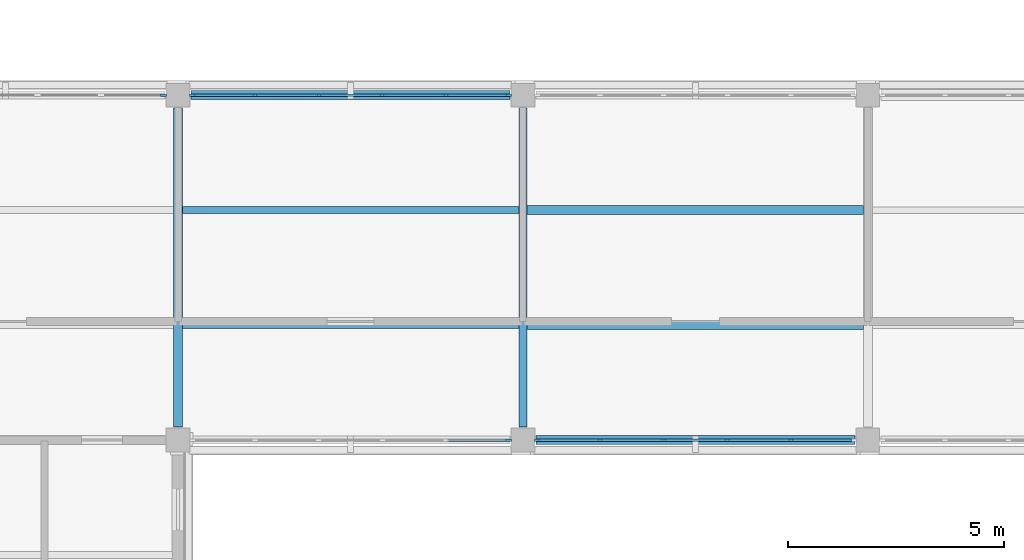
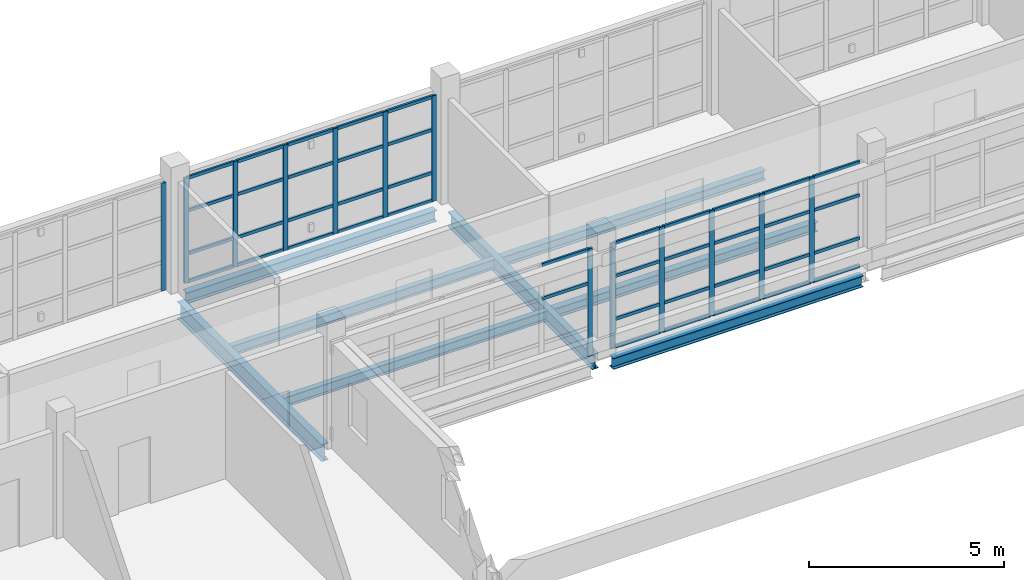
# One storey, part 11 of 107: 55 members, 8 beams, 4 elements without a shape of their own.
"""IFC4 building model written with IfcOpenShell, lengths in metres."""

from ifc_helpers import new_model, si_unit, derived_unit, direction, frame, origin, origin_2d, place, context, subcontext, project, spatial, rectangle, i_section, extrude, material, layer, layer_set, material_profile, profile_set, type_object, element, aggregate, save


model = new_model("IFC4")

# Units and contexts
model_context = context("Model", 3, precision=1e-05, world=origin(), true_north=direction((0.0, 1.0)))
body_context = subcontext(model_context, "Body", "Model", "MODEL_VIEW")
ifc_project = project(units=[si_unit("LENGTHUNIT", "METRE"), si_unit("AREAUNIT", "SQUARE_METRE"), si_unit("VOLUMEUNIT", "CUBIC_METRE"), si_unit("PLANEANGLEUNIT", "RADIAN"), si_unit("MASSUNIT", "GRAM", prefix="KILO"), derived_unit("THERMALTRANSMITTANCEUNIT", [(si_unit("MASSUNIT", "GRAM", prefix="KILO"), 1), (si_unit("TIMEUNIT", "SECOND"), -3), (si_unit("THERMODYNAMICTEMPERATUREUNIT", "KELVIN"), -1)])], contexts=[model_context])

# Site, building, storey
site_placement = place(None, origin())
site = spatial("IfcSite", under=ifc_project, at=site_placement, CompositionType="ELEMENT")
building_placement = place(site_placement, origin())
building = spatial("IfcBuilding", under=site, at=building_placement, Name="Veyamyaing Civic Hall", CompositionType="ELEMENT")
storey_placement = place(building_placement, frame((0.0, 0.0, 13.860107421875)))
storey = spatial("IfcBuildingStorey", under=building, at=storey_placement, Name="L03", CompositionType="ELEMENT", Elevation=13.860107421875)

# Beams
ifc_material_1 = material(Name="Steel ASTM A992", Category="steel")
ifc_material_profile_1 = material_profile(ifc_material_1, i_section(OverallWidth=0.208984375, OverallDepth=0.532958984375, WebThickness=0.01025390625, FlangeThickness=0.015625, FilletRadius=0.011962890625, at=origin_2d()), Name="W530X92")
ifc_profile_set_1 = profile_set([ifc_material_profile_1], Name="Steel ASTM A992")
beam_type_1 = type_object("IfcBeamType", Name="B-07", PredefinedType="BEAM", material=ifc_profile_set_1)
beam_1_placement = place(storey_placement, frame((16.0, 48.300048828125, -0.521728515625), z_axis=(0.0, 1.0, 0.0), x_axis=(-1.0, 0.0, 0.0)))
element("IfcBeam", 1, at=beam_1_placement, inside=storey, type_object=beam_type_1, Name="Girder B-07 L03 Grid 3 G-H", PredefinedType="BEAM", context=body_context, shape_type="SweptSolid", body=[
    extrude(i_section(OverallWidth=0.208984375, OverallDepth=0.532958984375, WebThickness=0.01025390625, FlangeThickness=0.015625, FilletRadius=0.011962890625, at=origin_2d()), origin(), (0.0, 0.0, 1.0), 7.39990234375),
])
ifc_material_profile_2 = material_profile(ifc_material_1, i_section(OverallWidth=0.19189453125, OverallDepth=0.462890625, WebThickness=0.010498046875, FlangeThickness=0.017578125, FilletRadius=0.010009765625, at=origin_2d()), Name="W460X89")
ifc_profile_set_2 = profile_set([ifc_material_profile_2], Name="Steel ASTM A992")
beam_type_2 = type_object("IfcBeamType", Name="B-08", PredefinedType="BEAM", material=ifc_profile_set_2)
beam_2_placement = place(storey_placement, frame((24.0, 48.300048828125, -0.486572265625), z_axis=(0.0, 1.0, 0.0), x_axis=(-1.0, 0.0, 0.0)))
element("IfcBeam", 2, at=beam_2_placement, inside=storey, type_object=beam_type_2, Name="Girder B-08 L03 Grid 4 G-H", PredefinedType="BEAM", context=body_context, shape_type="SweptSolid", body=[
    extrude(i_section(OverallWidth=0.19189453125, OverallDepth=0.462890625, WebThickness=0.010498046875, FlangeThickness=0.017578125, FilletRadius=0.010009765625, at=origin_2d()), origin(), (0.0, 0.0, 1.0), 7.39990234375),
])
ifc_material_profile_3 = material_profile(ifc_material_1, i_section(OverallWidth=0.2041015625, OverallDepth=0.35009765625, WebThickness=0.0078125, FlangeThickness=0.01513671875, FilletRadius=0.010009765625, at=origin_2d()), Name="W360X72")
ifc_profile_set_3 = profile_set([ifc_material_profile_3], Name="Steel ASTM A992")
beam_type_3 = type_object("IfcBeamType", Name="B-11", PredefinedType="SPANDREL", material=ifc_profile_set_3)
for number, where, z_axis, x_axis, name in (
    (3, (24.300048828125, 48.0, -0.43017578125), (1.0, 0.0, 0.0), (0.0, 1.0, 0.0), "Girder B-11 L03 Grid G 4-5"),
    (4, (16.300048828125, 56.0, -0.43017578125), (1.0, 0.0, 0.0), (0.0, 1.0, 0.0), "Girder B-11 L03 Grid H 3-4"),
):
    element("IfcBeam", number, at=place(storey_placement, frame(where, z_axis=z_axis, x_axis=x_axis)), inside=storey, type_object=beam_type_3, Name=name, PredefinedType="SPANDREL", context=body_context, shape_type="SweptSolid", body=[
        extrude(i_section(OverallWidth=0.2041015625, OverallDepth=0.35009765625, WebThickness=0.0078125, FlangeThickness=0.01513671875, FilletRadius=0.010009765625, at=origin_2d()), origin(), (0.0, 0.0, 1.0), 7.39990234375),
    ])

# Curtain wall, member
ifc_material_2 = material(Name="Anodised aluminium 6063-T6", Category="aluminium")
ifc_layer = layer(ifc_material_2, 0.139892578125, Name="Anodised aluminium 6063-T6")
ifc_layer_set = layer_set([ifc_layer], Name="Anodised aluminium 6063-T6")
curtain_wall_type = type_object("IfcCurtainWallType", Name="CW-04", PredefinedType="NOTDEFINED", material=ifc_layer_set)
curtain_wall_1_placement = place(storey_placement, origin())
curtain_wall_1 = element("IfcCurtainWall", 5, at=curtain_wall_1_placement, inside=storey, type_object=curtain_wall_type, Name="Unitized curtain wall CW-04 L03 N 2.7", PredefinedType="NOTDEFINED")
ifc_material_profile_4 = material_profile(ifc_material_2, rectangle(XDim=0.06005859375, YDim=0.139892578125, at=origin_2d()), Name="ALU-MUL-60X140")
ifc_profile_set_4 = profile_set([ifc_material_profile_4], Name="Anodised aluminium 6063-T6")
member_type_1 = type_object("IfcMemberType", Name="CWM-03", PredefinedType="MULLION", material=ifc_profile_set_4)
member_1_placement = place(storey_placement, frame((15.6650390625, 56.0, 0.0), z_axis=(0.0, 0.0, 1.0), x_axis=(0.0, 1.0, 0.0)))
member_1 = element("IfcMember", 6, at=member_1_placement, type_object=member_type_1, Name="CW-04 mullion 6", PredefinedType="MULLION", context=body_context, shape_type="SweptSolid", body=[
    extrude(rectangle(XDim=0.06005859375, YDim=0.139892578125, at=origin_2d()), origin(), (0.0, 0.0, 1.0), 3.366943359375),
])
aggregate(curtain_wall_1, [member_1])

curtain_wall_2_placement = place(storey_placement, origin())
curtain_wall_2 = element("IfcCurtainWall", 7, at=curtain_wall_2_placement, inside=storey, type_object=curtain_wall_type, Name="Unitized curtain wall CW-04 L03 S 3.7", PredefinedType="NOTDEFINED")
member_2_placement = place(storey_placement, frame((23.6650390625, 48.0, 0.0), z_axis=(0.0, 0.0, 1.0), x_axis=(0.0, 1.0, 0.0)))
member_2 = element("IfcMember", 8, at=member_2_placement, type_object=member_type_1, Name="CW-04 mullion 6", PredefinedType="MULLION", context=body_context, shape_type="SweptSolid", body=[
    extrude(rectangle(XDim=0.06005859375, YDim=0.139892578125, at=origin_2d()), origin(), (0.0, 0.0, 1.0), 3.366943359375),
])

# Curtain wall, members
curtain_wall_3_placement = place(storey_placement, origin())
curtain_wall_3 = element("IfcCurtainWall", 9, at=curtain_wall_3_placement, inside=storey, type_object=curtain_wall_type, Name="Unitized curtain wall CW-04 L03 N 3.7", PredefinedType="NOTDEFINED")
member_3_placement = place(storey_placement, frame((16.3349609375, 56.0, 0.0), z_axis=(0.0, 0.0, 1.0), x_axis=(0.0, 1.0, 0.0)))
member_3 = element("IfcMember", 10, at=member_3_placement, type_object=member_type_1, Name="CW-04 mullion 1", PredefinedType="MULLION", context=body_context, shape_type="SweptSolid", body=[
    extrude(rectangle(XDim=0.06005859375, YDim=0.139892578125, at=origin_2d()), origin(), (0.0, 0.0, 1.0), 3.2998046875),
])
member_4_placement = place(storey_placement, frame((17.782958984375, 56.0, 0.0), z_axis=(0.0, 0.0, 1.0), x_axis=(0.0, 1.0, 0.0)))
member_4 = element("IfcMember", 11, at=member_4_placement, type_object=member_type_1, Name="CW-04 mullion 2", PredefinedType="MULLION", context=body_context, shape_type="SweptSolid", body=[
    extrude(rectangle(XDim=0.06005859375, YDim=0.139892578125, at=origin_2d()), origin(), (0.0, 0.0, 1.0), 3.2998046875),
])
member_5_placement = place(storey_placement, frame((19.260986328125, 56.0, 0.0), z_axis=(0.0, 0.0, 1.0), x_axis=(0.0, 1.0, 0.0)))
member_5 = element("IfcMember", 12, at=member_5_placement, type_object=member_type_1, Name="CW-04 mullion 3", PredefinedType="MULLION", context=body_context, shape_type="SweptSolid", body=[
    extrude(rectangle(XDim=0.06005859375, YDim=0.139892578125, at=origin_2d()), origin(), (0.0, 0.0, 1.0), 3.2998046875),
])
member_6_placement = place(storey_placement, frame((20.739013671875, 56.0, 0.0), z_axis=(0.0, 0.0, 1.0), x_axis=(0.0, 1.0, 0.0)))
member_6 = element("IfcMember", 13, at=member_6_placement, type_object=member_type_1, Name="CW-04 mullion 4", PredefinedType="MULLION", context=body_context, shape_type="SweptSolid", body=[
    extrude(rectangle(XDim=0.06005859375, YDim=0.139892578125, at=origin_2d()), origin(), (0.0, 0.0, 1.0), 3.2998046875),
])
member_7_placement = place(storey_placement, frame((22.217041015625, 56.0, 0.0), z_axis=(0.0, 0.0, 1.0), x_axis=(0.0, 1.0, 0.0)))
member_7 = element("IfcMember", 14, at=member_7_placement, type_object=member_type_1, Name="CW-04 mullion 5", PredefinedType="MULLION", context=body_context, shape_type="SweptSolid", body=[
    extrude(rectangle(XDim=0.06005859375, YDim=0.139892578125, at=origin_2d()), origin(), (0.0, 0.0, 1.0), 3.2998046875),
])
member_8_placement = place(storey_placement, frame((23.6650390625, 56.0, 0.0), z_axis=(0.0, 0.0, 1.0), x_axis=(0.0, 1.0, 0.0)))
member_8 = element("IfcMember", 15, at=member_8_placement, type_object=member_type_1, Name="CW-04 mullion 6", PredefinedType="MULLION", context=body_context, shape_type="SweptSolid", body=[
    extrude(rectangle(XDim=0.06005859375, YDim=0.139892578125, at=origin_2d()), origin(), (0.0, 0.0, 1.0), 3.2998046875),
])

curtain_wall_4_placement = place(storey_placement, origin())
curtain_wall_4 = element("IfcCurtainWall", 16, at=curtain_wall_4_placement, inside=storey, type_object=curtain_wall_type, Name="Unitized curtain wall CW-04 L03 S 4.7", PredefinedType="NOTDEFINED")
member_9_placement = place(storey_placement, frame((24.3349609375, 48.0, 0.0), z_axis=(0.0, 0.0, 1.0), x_axis=(0.0, 1.0, 0.0)))
member_9 = element("IfcMember", 17, at=member_9_placement, type_object=member_type_1, Name="CW-04 mullion 1", PredefinedType="MULLION", context=body_context, shape_type="SweptSolid", body=[
    extrude(rectangle(XDim=0.06005859375, YDim=0.139892578125, at=origin_2d()), origin(), (0.0, 0.0, 1.0), 3.2998046875),
])
member_10_placement = place(storey_placement, frame((25.782958984375, 48.0, 0.0), z_axis=(0.0, 0.0, 1.0), x_axis=(0.0, 1.0, 0.0)))
member_10 = element("IfcMember", 18, at=member_10_placement, type_object=member_type_1, Name="CW-04 mullion 2", PredefinedType="MULLION", context=body_context, shape_type="SweptSolid", body=[
    extrude(rectangle(XDim=0.06005859375, YDim=0.139892578125, at=origin_2d()), origin(), (0.0, 0.0, 1.0), 3.2998046875),
])
member_11_placement = place(storey_placement, frame((27.260986328125, 48.0, 0.0), z_axis=(0.0, 0.0, 1.0), x_axis=(0.0, 1.0, 0.0)))
member_11 = element("IfcMember", 19, at=member_11_placement, type_object=member_type_1, Name="CW-04 mullion 3", PredefinedType="MULLION", context=body_context, shape_type="SweptSolid", body=[
    extrude(rectangle(XDim=0.06005859375, YDim=0.139892578125, at=origin_2d()), origin(), (0.0, 0.0, 1.0), 3.2998046875),
])
member_12_placement = place(storey_placement, frame((28.739013671875, 48.0, 0.0), z_axis=(0.0, 0.0, 1.0), x_axis=(0.0, 1.0, 0.0)))
member_12 = element("IfcMember", 20, at=member_12_placement, type_object=member_type_1, Name="CW-04 mullion 4", PredefinedType="MULLION", context=body_context, shape_type="SweptSolid", body=[
    extrude(rectangle(XDim=0.06005859375, YDim=0.139892578125, at=origin_2d()), origin(), (0.0, 0.0, 1.0), 3.2998046875),
])
member_13_placement = place(storey_placement, frame((30.217041015625, 48.0, 0.0), z_axis=(0.0, 0.0, 1.0), x_axis=(0.0, 1.0, 0.0)))
member_13 = element("IfcMember", 21, at=member_13_placement, type_object=member_type_1, Name="CW-04 mullion 5", PredefinedType="MULLION", context=body_context, shape_type="SweptSolid", body=[
    extrude(rectangle(XDim=0.06005859375, YDim=0.139892578125, at=origin_2d()), origin(), (0.0, 0.0, 1.0), 3.2998046875),
])

# Member
ifc_material_profile_5 = material_profile(ifc_material_2, rectangle(XDim=0.06005859375, YDim=0.10009765625, at=origin_2d()), Name="ALU-TRN-60X100")
ifc_profile_set_5 = profile_set([ifc_material_profile_5], Name="Anodised aluminium 6063-T6")
member_type_2 = type_object("IfcMemberType", Name="CWT-03", PredefinedType="USERDEFINED", material=ifc_profile_set_5)
member_14_placement = place(storey_placement, frame((22.2470703125, 48.0, 2.28955078125), z_axis=(1.0, 0.0, 0.0), x_axis=(0.0, 1.0, 0.0)))
member_14 = element("IfcMember", 22, at=member_14_placement, type_object=member_type_2, Name="CW-04 transom 5.3", ObjectType="TRANSOM", PredefinedType="USERDEFINED", context=body_context, shape_type="SweptSolid", body=[
    extrude(rectangle(XDim=0.06005859375, YDim=0.10009765625, at=origin_2d()), origin(), (0.0, 0.0, 1.0), 1.387939453125),
])

member_15_placement = place(storey_placement, frame((22.2470703125, 48.0, 3.3369140625), z_axis=(1.0, 0.0, 0.0), x_axis=(0.0, 1.0, 0.0)))
member_15 = element("IfcMember", 23, at=member_15_placement, type_object=member_type_2, Name="CW-04 transom 5.4", ObjectType="TRANSOM", PredefinedType="USERDEFINED", context=body_context, shape_type="SweptSolid", body=[
    extrude(rectangle(XDim=0.06005859375, YDim=0.10009765625, at=origin_2d()), origin(), (0.0, 0.0, 1.0), 1.387939453125),
])

aggregate(curtain_wall_2, [member_2, member_14, member_15])

member_16_placement = place(storey_placement, frame((16.364990234375, 56.0, 0.02978515625), z_axis=(1.0, 0.0, 0.0), x_axis=(0.0, 1.0, 0.0)))
member_16 = element("IfcMember", 24, at=member_16_placement, type_object=member_type_2, Name="CW-04 transom 1.1", ObjectType="TRANSOM", PredefinedType="USERDEFINED", context=body_context, shape_type="SweptSolid", body=[
    extrude(rectangle(XDim=0.06005859375, YDim=0.10009765625, at=origin_2d()), origin(), (0.0, 0.0, 1.0), 1.387939453125),
])

member_17_placement = place(storey_placement, frame((16.364990234375, 56.0, 0.89990234375), z_axis=(1.0, 0.0, 0.0), x_axis=(0.0, 1.0, 0.0)))
member_17 = element("IfcMember", 25, at=member_17_placement, type_object=member_type_2, Name="CW-04 transom 1.2", ObjectType="TRANSOM", PredefinedType="USERDEFINED", context=body_context, shape_type="SweptSolid", body=[
    extrude(rectangle(XDim=0.06005859375, YDim=0.10009765625, at=origin_2d()), origin(), (0.0, 0.0, 1.0), 1.387939453125),
])

member_18_placement = place(storey_placement, frame((16.364990234375, 56.0, 2.243896484375), z_axis=(1.0, 0.0, 0.0), x_axis=(0.0, 1.0, 0.0)))
member_18 = element("IfcMember", 26, at=member_18_placement, type_object=member_type_2, Name="CW-04 transom 1.3", ObjectType="TRANSOM", PredefinedType="USERDEFINED", context=body_context, shape_type="SweptSolid", body=[
    extrude(rectangle(XDim=0.06005859375, YDim=0.10009765625, at=origin_2d()), origin(), (0.0, 0.0, 1.0), 1.387939453125),
])

member_19_placement = place(storey_placement, frame((16.364990234375, 56.0, 3.269775390625), z_axis=(1.0, 0.0, 0.0), x_axis=(0.0, 1.0, 0.0)))
member_19 = element("IfcMember", 27, at=member_19_placement, type_object=member_type_2, Name="CW-04 transom 1.4", ObjectType="TRANSOM", PredefinedType="USERDEFINED", context=body_context, shape_type="SweptSolid", body=[
    extrude(rectangle(XDim=0.06005859375, YDim=0.10009765625, at=origin_2d()), origin(), (0.0, 0.0, 1.0), 1.387939453125),
])

member_20_placement = place(storey_placement, frame((17.81298828125, 56.0, 0.02978515625), z_axis=(1.0, 0.0, 0.0), x_axis=(0.0, 1.0, 0.0)))
member_20 = element("IfcMember", 28, at=member_20_placement, type_object=member_type_2, Name="CW-04 transom 2.1", ObjectType="TRANSOM", PredefinedType="USERDEFINED", context=body_context, shape_type="SweptSolid", body=[
    extrude(rectangle(XDim=0.06005859375, YDim=0.10009765625, at=origin_2d()), origin(), (0.0, 0.0, 1.0), 1.41796875),
])

member_21_placement = place(storey_placement, frame((17.81298828125, 56.0, 0.89990234375), z_axis=(1.0, 0.0, 0.0), x_axis=(0.0, 1.0, 0.0)))
member_21 = element("IfcMember", 29, at=member_21_placement, type_object=member_type_2, Name="CW-04 transom 2.2", ObjectType="TRANSOM", PredefinedType="USERDEFINED", context=body_context, shape_type="SweptSolid", body=[
    extrude(rectangle(XDim=0.06005859375, YDim=0.10009765625, at=origin_2d()), origin(), (0.0, 0.0, 1.0), 1.41796875),
])

member_22_placement = place(storey_placement, frame((17.81298828125, 56.0, 2.243896484375), z_axis=(1.0, 0.0, 0.0), x_axis=(0.0, 1.0, 0.0)))
member_22 = element("IfcMember", 30, at=member_22_placement, type_object=member_type_2, Name="CW-04 transom 2.3", ObjectType="TRANSOM", PredefinedType="USERDEFINED", context=body_context, shape_type="SweptSolid", body=[
    extrude(rectangle(XDim=0.06005859375, YDim=0.10009765625, at=origin_2d()), origin(), (0.0, 0.0, 1.0), 1.41796875),
])

member_23_placement = place(storey_placement, frame((17.81298828125, 56.0, 3.269775390625), z_axis=(1.0, 0.0, 0.0), x_axis=(0.0, 1.0, 0.0)))
member_23 = element("IfcMember", 31, at=member_23_placement, type_object=member_type_2, Name="CW-04 transom 2.4", ObjectType="TRANSOM", PredefinedType="USERDEFINED", context=body_context, shape_type="SweptSolid", body=[
    extrude(rectangle(XDim=0.06005859375, YDim=0.10009765625, at=origin_2d()), origin(), (0.0, 0.0, 1.0), 1.41796875),
])

member_24_placement = place(storey_placement, frame((19.291015625, 56.0, 0.02978515625), z_axis=(1.0, 0.0, 0.0), x_axis=(0.0, 1.0, 0.0)))
member_24 = element("IfcMember", 32, at=member_24_placement, type_object=member_type_2, Name="CW-04 transom 3.1", ObjectType="TRANSOM", PredefinedType="USERDEFINED", context=body_context, shape_type="SweptSolid", body=[
    extrude(rectangle(XDim=0.06005859375, YDim=0.10009765625, at=origin_2d()), origin(), (0.0, 0.0, 1.0), 1.41796875),
])

member_25_placement = place(storey_placement, frame((19.291015625, 56.0, 0.89990234375), z_axis=(1.0, 0.0, 0.0), x_axis=(0.0, 1.0, 0.0)))
member_25 = element("IfcMember", 33, at=member_25_placement, type_object=member_type_2, Name="CW-04 transom 3.2", ObjectType="TRANSOM", PredefinedType="USERDEFINED", context=body_context, shape_type="SweptSolid", body=[
    extrude(rectangle(XDim=0.06005859375, YDim=0.10009765625, at=origin_2d()), origin(), (0.0, 0.0, 1.0), 1.41796875),
])

member_26_placement = place(storey_placement, frame((19.291015625, 56.0, 2.243896484375), z_axis=(1.0, 0.0, 0.0), x_axis=(0.0, 1.0, 0.0)))
member_26 = element("IfcMember", 34, at=member_26_placement, type_object=member_type_2, Name="CW-04 transom 3.3", ObjectType="TRANSOM", PredefinedType="USERDEFINED", context=body_context, shape_type="SweptSolid", body=[
    extrude(rectangle(XDim=0.06005859375, YDim=0.10009765625, at=origin_2d()), origin(), (0.0, 0.0, 1.0), 1.41796875),
])

member_27_placement = place(storey_placement, frame((19.291015625, 56.0, 3.269775390625), z_axis=(1.0, 0.0, 0.0), x_axis=(0.0, 1.0, 0.0)))
member_27 = element("IfcMember", 35, at=member_27_placement, type_object=member_type_2, Name="CW-04 transom 3.4", ObjectType="TRANSOM", PredefinedType="USERDEFINED", context=body_context, shape_type="SweptSolid", body=[
    extrude(rectangle(XDim=0.06005859375, YDim=0.10009765625, at=origin_2d()), origin(), (0.0, 0.0, 1.0), 1.41796875),
])

member_28_placement = place(storey_placement, frame((20.76904296875, 56.0, 0.02978515625), z_axis=(1.0, 0.0, 0.0), x_axis=(0.0, 1.0, 0.0)))
member_28 = element("IfcMember", 36, at=member_28_placement, type_object=member_type_2, Name="CW-04 transom 4.1", ObjectType="TRANSOM", PredefinedType="USERDEFINED", context=body_context, shape_type="SweptSolid", body=[
    extrude(rectangle(XDim=0.06005859375, YDim=0.10009765625, at=origin_2d()), origin(), (0.0, 0.0, 1.0), 1.41796875),
])

member_29_placement = place(storey_placement, frame((20.76904296875, 56.0, 0.89990234375), z_axis=(1.0, 0.0, 0.0), x_axis=(0.0, 1.0, 0.0)))
member_29 = element("IfcMember", 37, at=member_29_placement, type_object=member_type_2, Name="CW-04 transom 4.2", ObjectType="TRANSOM", PredefinedType="USERDEFINED", context=body_context, shape_type="SweptSolid", body=[
    extrude(rectangle(XDim=0.06005859375, YDim=0.10009765625, at=origin_2d()), origin(), (0.0, 0.0, 1.0), 1.41796875),
])

member_30_placement = place(storey_placement, frame((20.76904296875, 56.0, 2.243896484375), z_axis=(1.0, 0.0, 0.0), x_axis=(0.0, 1.0, 0.0)))
member_30 = element("IfcMember", 38, at=member_30_placement, type_object=member_type_2, Name="CW-04 transom 4.3", ObjectType="TRANSOM", PredefinedType="USERDEFINED", context=body_context, shape_type="SweptSolid", body=[
    extrude(rectangle(XDim=0.06005859375, YDim=0.10009765625, at=origin_2d()), origin(), (0.0, 0.0, 1.0), 1.41796875),
])

member_31_placement = place(storey_placement, frame((20.76904296875, 56.0, 3.269775390625), z_axis=(1.0, 0.0, 0.0), x_axis=(0.0, 1.0, 0.0)))
member_31 = element("IfcMember", 39, at=member_31_placement, type_object=member_type_2, Name="CW-04 transom 4.4", ObjectType="TRANSOM", PredefinedType="USERDEFINED", context=body_context, shape_type="SweptSolid", body=[
    extrude(rectangle(XDim=0.06005859375, YDim=0.10009765625, at=origin_2d()), origin(), (0.0, 0.0, 1.0), 1.41796875),
])

member_32_placement = place(storey_placement, frame((22.2470703125, 56.0, 0.02978515625), z_axis=(1.0, 0.0, 0.0), x_axis=(0.0, 1.0, 0.0)))
member_32 = element("IfcMember", 40, at=member_32_placement, type_object=member_type_2, Name="CW-04 transom 5.1", ObjectType="TRANSOM", PredefinedType="USERDEFINED", context=body_context, shape_type="SweptSolid", body=[
    extrude(rectangle(XDim=0.06005859375, YDim=0.10009765625, at=origin_2d()), origin(), (0.0, 0.0, 1.0), 1.387939453125),
])

member_33_placement = place(storey_placement, frame((22.2470703125, 56.0, 0.89990234375), z_axis=(1.0, 0.0, 0.0), x_axis=(0.0, 1.0, 0.0)))
member_33 = element("IfcMember", 41, at=member_33_placement, type_object=member_type_2, Name="CW-04 transom 5.2", ObjectType="TRANSOM", PredefinedType="USERDEFINED", context=body_context, shape_type="SweptSolid", body=[
    extrude(rectangle(XDim=0.06005859375, YDim=0.10009765625, at=origin_2d()), origin(), (0.0, 0.0, 1.0), 1.387939453125),
])

member_34_placement = place(storey_placement, frame((22.2470703125, 56.0, 2.243896484375), z_axis=(1.0, 0.0, 0.0), x_axis=(0.0, 1.0, 0.0)))
member_34 = element("IfcMember", 42, at=member_34_placement, type_object=member_type_2, Name="CW-04 transom 5.3", ObjectType="TRANSOM", PredefinedType="USERDEFINED", context=body_context, shape_type="SweptSolid", body=[
    extrude(rectangle(XDim=0.06005859375, YDim=0.10009765625, at=origin_2d()), origin(), (0.0, 0.0, 1.0), 1.387939453125),
])

member_35_placement = place(storey_placement, frame((22.2470703125, 56.0, 3.269775390625), z_axis=(1.0, 0.0, 0.0), x_axis=(0.0, 1.0, 0.0)))
member_35 = element("IfcMember", 43, at=member_35_placement, type_object=member_type_2, Name="CW-04 transom 5.4", ObjectType="TRANSOM", PredefinedType="USERDEFINED", context=body_context, shape_type="SweptSolid", body=[
    extrude(rectangle(XDim=0.06005859375, YDim=0.10009765625, at=origin_2d()), origin(), (0.0, 0.0, 1.0), 1.387939453125),
])

aggregate(curtain_wall_3, [member_3, member_4, member_5, member_6, member_7, member_8, member_16, member_17, member_18, member_19, member_20, member_21, member_22, member_23, member_24, member_25, member_26, member_27, member_28, member_29, member_30, member_31, member_32, member_33, member_34, member_35])

member_36_placement = place(storey_placement, frame((24.364990234375, 48.0, 0.02978515625), z_axis=(1.0, 0.0, 0.0), x_axis=(0.0, 1.0, 0.0)))
member_36 = element("IfcMember", 44, at=member_36_placement, type_object=member_type_2, Name="CW-04 transom 1.1", ObjectType="TRANSOM", PredefinedType="USERDEFINED", context=body_context, shape_type="SweptSolid", body=[
    extrude(rectangle(XDim=0.06005859375, YDim=0.10009765625, at=origin_2d()), origin(), (0.0, 0.0, 1.0), 1.387939453125),
])

member_37_placement = place(storey_placement, frame((24.364990234375, 48.0, 0.89990234375), z_axis=(1.0, 0.0, 0.0), x_axis=(0.0, 1.0, 0.0)))
member_37 = element("IfcMember", 45, at=member_37_placement, type_object=member_type_2, Name="CW-04 transom 1.2", ObjectType="TRANSOM", PredefinedType="USERDEFINED", context=body_context, shape_type="SweptSolid", body=[
    extrude(rectangle(XDim=0.06005859375, YDim=0.10009765625, at=origin_2d()), origin(), (0.0, 0.0, 1.0), 1.387939453125),
])

member_38_placement = place(storey_placement, frame((24.364990234375, 48.0, 2.243896484375), z_axis=(1.0, 0.0, 0.0), x_axis=(0.0, 1.0, 0.0)))
member_38 = element("IfcMember", 46, at=member_38_placement, type_object=member_type_2, Name="CW-04 transom 1.3", ObjectType="TRANSOM", PredefinedType="USERDEFINED", context=body_context, shape_type="SweptSolid", body=[
    extrude(rectangle(XDim=0.06005859375, YDim=0.10009765625, at=origin_2d()), origin(), (0.0, 0.0, 1.0), 1.387939453125),
])

member_39_placement = place(storey_placement, frame((24.364990234375, 48.0, 3.269775390625), z_axis=(1.0, 0.0, 0.0), x_axis=(0.0, 1.0, 0.0)))
member_39 = element("IfcMember", 47, at=member_39_placement, type_object=member_type_2, Name="CW-04 transom 1.4", ObjectType="TRANSOM", PredefinedType="USERDEFINED", context=body_context, shape_type="SweptSolid", body=[
    extrude(rectangle(XDim=0.06005859375, YDim=0.10009765625, at=origin_2d()), origin(), (0.0, 0.0, 1.0), 1.387939453125),
])

member_40_placement = place(storey_placement, frame((25.81298828125, 48.0, 0.02978515625), z_axis=(1.0, 0.0, 0.0), x_axis=(0.0, 1.0, 0.0)))
member_40 = element("IfcMember", 48, at=member_40_placement, type_object=member_type_2, Name="CW-04 transom 2.1", ObjectType="TRANSOM", PredefinedType="USERDEFINED", context=body_context, shape_type="SweptSolid", body=[
    extrude(rectangle(XDim=0.06005859375, YDim=0.10009765625, at=origin_2d()), origin(), (0.0, 0.0, 1.0), 1.41796875),
])

member_41_placement = place(storey_placement, frame((25.81298828125, 48.0, 0.89990234375), z_axis=(1.0, 0.0, 0.0), x_axis=(0.0, 1.0, 0.0)))
member_41 = element("IfcMember", 49, at=member_41_placement, type_object=member_type_2, Name="CW-04 transom 2.2", ObjectType="TRANSOM", PredefinedType="USERDEFINED", context=body_context, shape_type="SweptSolid", body=[
    extrude(rectangle(XDim=0.06005859375, YDim=0.10009765625, at=origin_2d()), origin(), (0.0, 0.0, 1.0), 1.41796875),
])

member_42_placement = place(storey_placement, frame((25.81298828125, 48.0, 2.243896484375), z_axis=(1.0, 0.0, 0.0), x_axis=(0.0, 1.0, 0.0)))
member_42 = element("IfcMember", 50, at=member_42_placement, type_object=member_type_2, Name="CW-04 transom 2.3", ObjectType="TRANSOM", PredefinedType="USERDEFINED", context=body_context, shape_type="SweptSolid", body=[
    extrude(rectangle(XDim=0.06005859375, YDim=0.10009765625, at=origin_2d()), origin(), (0.0, 0.0, 1.0), 1.41796875),
])

member_43_placement = place(storey_placement, frame((25.81298828125, 48.0, 3.269775390625), z_axis=(1.0, 0.0, 0.0), x_axis=(0.0, 1.0, 0.0)))
member_43 = element("IfcMember", 51, at=member_43_placement, type_object=member_type_2, Name="CW-04 transom 2.4", ObjectType="TRANSOM", PredefinedType="USERDEFINED", context=body_context, shape_type="SweptSolid", body=[
    extrude(rectangle(XDim=0.06005859375, YDim=0.10009765625, at=origin_2d()), origin(), (0.0, 0.0, 1.0), 1.41796875),
])

member_44_placement = place(storey_placement, frame((27.291015625, 48.0, 0.02978515625), z_axis=(1.0, 0.0, 0.0), x_axis=(0.0, 1.0, 0.0)))
member_44 = element("IfcMember", 52, at=member_44_placement, type_object=member_type_2, Name="CW-04 transom 3.1", ObjectType="TRANSOM", PredefinedType="USERDEFINED", context=body_context, shape_type="SweptSolid", body=[
    extrude(rectangle(XDim=0.06005859375, YDim=0.10009765625, at=origin_2d()), origin(), (0.0, 0.0, 1.0), 1.41796875),
])

member_45_placement = place(storey_placement, frame((27.291015625, 48.0, 0.89990234375), z_axis=(1.0, 0.0, 0.0), x_axis=(0.0, 1.0, 0.0)))
member_45 = element("IfcMember", 53, at=member_45_placement, type_object=member_type_2, Name="CW-04 transom 3.2", ObjectType="TRANSOM", PredefinedType="USERDEFINED", context=body_context, shape_type="SweptSolid", body=[
    extrude(rectangle(XDim=0.06005859375, YDim=0.10009765625, at=origin_2d()), origin(), (0.0, 0.0, 1.0), 1.41796875),
])

member_46_placement = place(storey_placement, frame((27.291015625, 48.0, 2.243896484375), z_axis=(1.0, 0.0, 0.0), x_axis=(0.0, 1.0, 0.0)))
member_46 = element("IfcMember", 54, at=member_46_placement, type_object=member_type_2, Name="CW-04 transom 3.3", ObjectType="TRANSOM", PredefinedType="USERDEFINED", context=body_context, shape_type="SweptSolid", body=[
    extrude(rectangle(XDim=0.06005859375, YDim=0.10009765625, at=origin_2d()), origin(), (0.0, 0.0, 1.0), 1.41796875),
])

member_47_placement = place(storey_placement, frame((27.291015625, 48.0, 3.269775390625), z_axis=(1.0, 0.0, 0.0), x_axis=(0.0, 1.0, 0.0)))
member_47 = element("IfcMember", 55, at=member_47_placement, type_object=member_type_2, Name="CW-04 transom 3.4", ObjectType="TRANSOM", PredefinedType="USERDEFINED", context=body_context, shape_type="SweptSolid", body=[
    extrude(rectangle(XDim=0.06005859375, YDim=0.10009765625, at=origin_2d()), origin(), (0.0, 0.0, 1.0), 1.41796875),
])

member_48_placement = place(storey_placement, frame((28.76904296875, 48.0, 0.02978515625), z_axis=(1.0, 0.0, 0.0), x_axis=(0.0, 1.0, 0.0)))
member_48 = element("IfcMember", 56, at=member_48_placement, type_object=member_type_2, Name="CW-04 transom 4.1", ObjectType="TRANSOM", PredefinedType="USERDEFINED", context=body_context, shape_type="SweptSolid", body=[
    extrude(rectangle(XDim=0.06005859375, YDim=0.10009765625, at=origin_2d()), origin(), (0.0, 0.0, 1.0), 1.41796875),
])

member_49_placement = place(storey_placement, frame((28.76904296875, 48.0, 0.89990234375), z_axis=(1.0, 0.0, 0.0), x_axis=(0.0, 1.0, 0.0)))
member_49 = element("IfcMember", 57, at=member_49_placement, type_object=member_type_2, Name="CW-04 transom 4.2", ObjectType="TRANSOM", PredefinedType="USERDEFINED", context=body_context, shape_type="SweptSolid", body=[
    extrude(rectangle(XDim=0.06005859375, YDim=0.10009765625, at=origin_2d()), origin(), (0.0, 0.0, 1.0), 1.41796875),
])

member_50_placement = place(storey_placement, frame((28.76904296875, 48.0, 2.243896484375), z_axis=(1.0, 0.0, 0.0), x_axis=(0.0, 1.0, 0.0)))
member_50 = element("IfcMember", 58, at=member_50_placement, type_object=member_type_2, Name="CW-04 transom 4.3", ObjectType="TRANSOM", PredefinedType="USERDEFINED", context=body_context, shape_type="SweptSolid", body=[
    extrude(rectangle(XDim=0.06005859375, YDim=0.10009765625, at=origin_2d()), origin(), (0.0, 0.0, 1.0), 1.41796875),
])

member_51_placement = place(storey_placement, frame((28.76904296875, 48.0, 3.269775390625), z_axis=(1.0, 0.0, 0.0), x_axis=(0.0, 1.0, 0.0)))
member_51 = element("IfcMember", 59, at=member_51_placement, type_object=member_type_2, Name="CW-04 transom 4.4", ObjectType="TRANSOM", PredefinedType="USERDEFINED", context=body_context, shape_type="SweptSolid", body=[
    extrude(rectangle(XDim=0.06005859375, YDim=0.10009765625, at=origin_2d()), origin(), (0.0, 0.0, 1.0), 1.41796875),
])

member_52_placement = place(storey_placement, frame((30.2470703125, 48.0, 0.02978515625), z_axis=(1.0, 0.0, 0.0), x_axis=(0.0, 1.0, 0.0)))
member_52 = element("IfcMember", 60, at=member_52_placement, type_object=member_type_2, Name="CW-04 transom 5.1", ObjectType="TRANSOM", PredefinedType="USERDEFINED", context=body_context, shape_type="SweptSolid", body=[
    extrude(rectangle(XDim=0.06005859375, YDim=0.10009765625, at=origin_2d()), origin(), (0.0, 0.0, 1.0), 1.387939453125),
])

member_53_placement = place(storey_placement, frame((30.2470703125, 48.0, 0.89990234375), z_axis=(1.0, 0.0, 0.0), x_axis=(0.0, 1.0, 0.0)))
member_53 = element("IfcMember", 61, at=member_53_placement, type_object=member_type_2, Name="CW-04 transom 5.2", ObjectType="TRANSOM", PredefinedType="USERDEFINED", context=body_context, shape_type="SweptSolid", body=[
    extrude(rectangle(XDim=0.06005859375, YDim=0.10009765625, at=origin_2d()), origin(), (0.0, 0.0, 1.0), 1.387939453125),
])

member_54_placement = place(storey_placement, frame((30.2470703125, 48.0, 2.243896484375), z_axis=(1.0, 0.0, 0.0), x_axis=(0.0, 1.0, 0.0)))
member_54 = element("IfcMember", 62, at=member_54_placement, type_object=member_type_2, Name="CW-04 transom 5.3", ObjectType="TRANSOM", PredefinedType="USERDEFINED", context=body_context, shape_type="SweptSolid", body=[
    extrude(rectangle(XDim=0.06005859375, YDim=0.10009765625, at=origin_2d()), origin(), (0.0, 0.0, 1.0), 1.387939453125),
])

member_55_placement = place(storey_placement, frame((30.2470703125, 48.0, 3.269775390625), z_axis=(1.0, 0.0, 0.0), x_axis=(0.0, 1.0, 0.0)))
member_55 = element("IfcMember", 63, at=member_55_placement, type_object=member_type_2, Name="CW-04 transom 5.4", ObjectType="TRANSOM", PredefinedType="USERDEFINED", context=body_context, shape_type="SweptSolid", body=[
    extrude(rectangle(XDim=0.06005859375, YDim=0.10009765625, at=origin_2d()), origin(), (0.0, 0.0, 1.0), 1.387939453125),
])

aggregate(curtain_wall_4, [member_9, member_10, member_11, member_12, member_13, member_36, member_37, member_38, member_39, member_40, member_41, member_42, member_43, member_44, member_45, member_46, member_47, member_48, member_49, member_50, member_51, member_52, member_53, member_54, member_55])

# Beams
ifc_material_profile_6 = material_profile(ifc_material_1, i_section(OverallWidth=0.1650390625, OverallDepth=0.31005859375, WebThickness=0.005859375, FlangeThickness=0.009765625, FilletRadius=0.010009765625, at=origin_2d()), Name="W310X39")
ifc_profile_set_6 = profile_set([ifc_material_profile_6], Name="Steel ASTM A992")
beam_type_4 = type_object("IfcBeamType", Name="J-05", PredefinedType="JOIST", material=ifc_profile_set_6)
for number, where, z_axis, x_axis, name in (
    (64, (16.1025390625, 50.666748046875, -0.41015625), (1.0, 0.0, 0.0), (0.0, 1.0, 0.0), "Composite floor joist J-05 L03 3.7.1"),
    (65, (16.1025390625, 53.333251953125, -0.41015625), (1.0, 0.0, 0.0), (0.0, 1.0, 0.0), "Composite floor joist J-05 L03 3.7.2"),
):
    element("IfcBeam", number, at=place(storey_placement, frame(where, z_axis=z_axis, x_axis=x_axis)), inside=storey, type_object=beam_type_4, Name=name, PredefinedType="JOIST", context=body_context, shape_type="SweptSolid", body=[
        extrude(i_section(OverallWidth=0.1650390625, OverallDepth=0.31005859375, WebThickness=0.005859375, FlangeThickness=0.009765625, FilletRadius=0.010009765625, at=origin_2d()), origin(), (0.0, 0.0, 1.0), 7.803466796875),
    ])
ifc_material_profile_7 = material_profile(ifc_material_1, i_section(OverallWidth=0.2041015625, OverallDepth=0.305908203125, WebThickness=0.008544921875, FlangeThickness=0.0146484375, FilletRadius=0.010009765625, at=origin_2d()), Name="W310X67")
ifc_profile_set_7 = profile_set([ifc_material_profile_7], Name="Steel ASTM A992")
beam_type_5 = type_object("IfcBeamType", Name="J-06", PredefinedType="JOIST", material=ifc_profile_set_7)
for number, where, z_axis, x_axis, name in (
    (66, (24.093994140625, 50.666748046875, -0.408203125), (1.0, 0.0, 0.0), (0.0, 1.0, 0.0), "Composite floor joist J-06 L03 4.7.1"),
    (67, (24.093994140625, 53.333251953125, -0.408203125), (1.0, 0.0, 0.0), (0.0, 1.0, 0.0), "Composite floor joist J-06 L03 4.7.2"),
):
    element("IfcBeam", number, at=place(storey_placement, frame(where, z_axis=z_axis, x_axis=x_axis)), inside=storey, type_object=beam_type_5, Name=name, PredefinedType="JOIST", context=body_context, shape_type="SweptSolid", body=[
        extrude(i_section(OverallWidth=0.2041015625, OverallDepth=0.305908203125, WebThickness=0.008544921875, FlangeThickness=0.0146484375, FilletRadius=0.010009765625, at=origin_2d()), origin(), (0.0, 0.0, 1.0), 7.802490234375),
    ])

save(model, "model.ifc")
